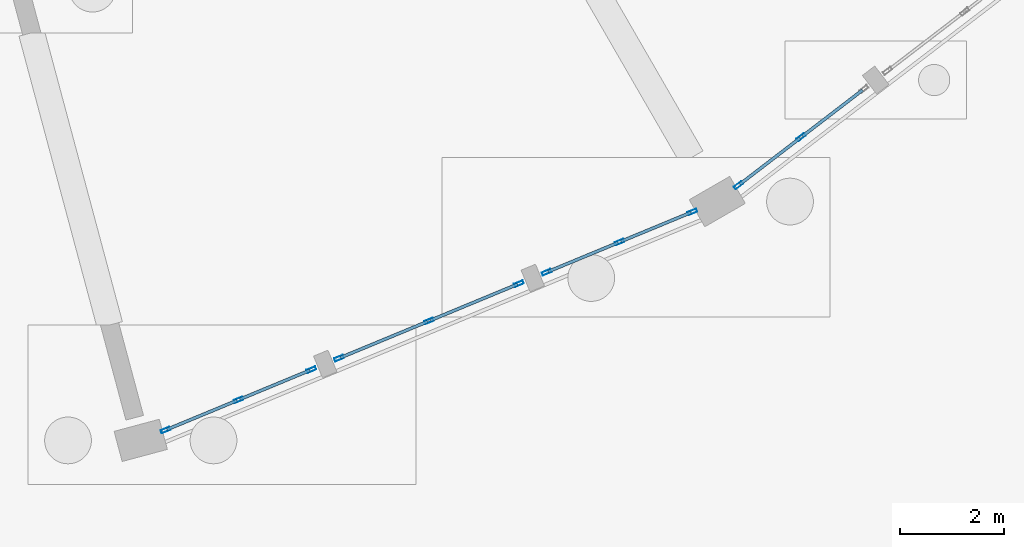
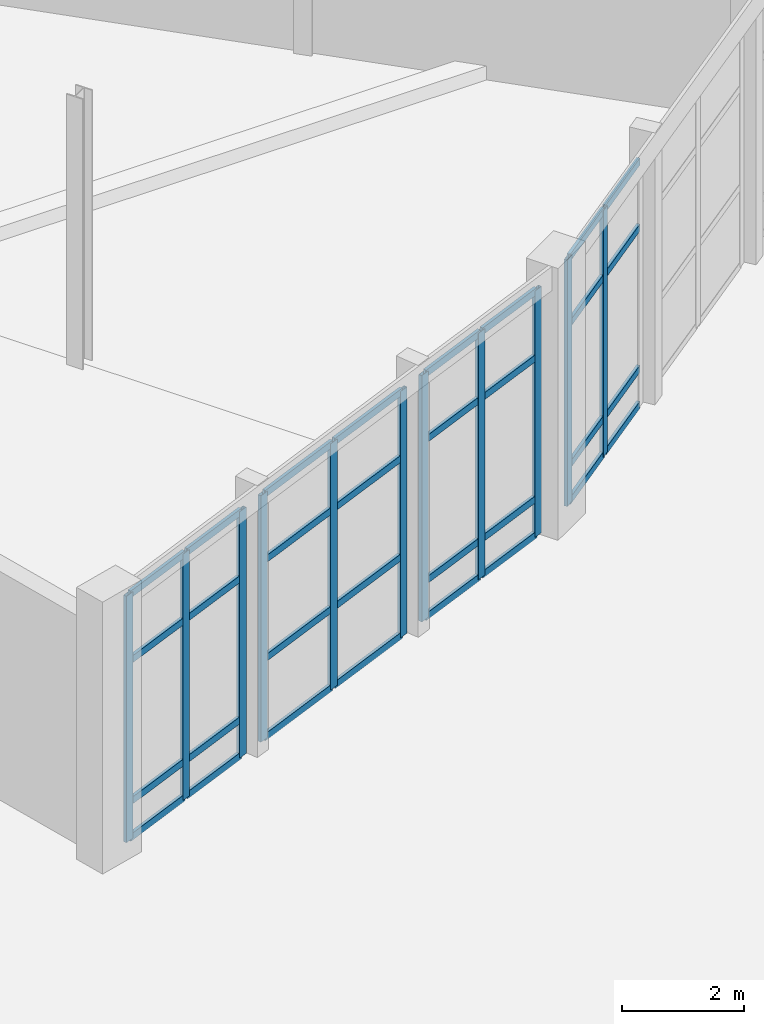
# One storey, part 41 of 137: 43 members, 4 elements without a shape of their own.
"""IFC4 building model written with IfcOpenShell, lengths in metres."""

from ifc_helpers import new_model, si_unit, direction, frame, origin, origin_2d, place, context, subcontext, project, spatial, hollow_rectangle, extrude, material, material_profile, profile_set, type_object, element, aggregate, save


model = new_model("IFC4")

# Units and contexts
model_context = context("Model", 3, precision=1e-05, world=origin(), true_north=direction((0.0, 1.0)))
body_context = subcontext(model_context, "Body", "Model", "MODEL_VIEW")
ifc_project = project(units=[si_unit("LENGTHUNIT", "METRE"), si_unit("AREAUNIT", "SQUARE_METRE"), si_unit("VOLUMEUNIT", "CUBIC_METRE"), si_unit("PLANEANGLEUNIT", "RADIAN"), si_unit("MASSUNIT", "GRAM", prefix="KILO")], contexts=[model_context])

# Site, building, storey
site_placement = place(None, origin())
site = spatial("IfcSite", under=ifc_project, at=site_placement, CompositionType="ELEMENT")
building_placement = place(site_placement, origin())
building = spatial("IfcBuilding", under=site, at=building_placement, Name="Vondelvale Polytechnic", CompositionType="ELEMENT")
storey_placement = place(building_placement, origin())
storey = spatial("IfcBuildingStorey", under=building, at=storey_placement, Name="L00", CompositionType="ELEMENT", Elevation=0.0)

# Curtain wall, members
ifc_material_1 = material(Name="Glulam GL18 structural Tasmanian oak (fb = 42 MPa)", Category="wood")
curtain_wall_type = type_object("IfcCurtainWallType", Name="CW-RING-OUTER", PredefinedType="NOTDEFINED", material=ifc_material_1)
curtain_wall_1_placement = place(storey_placement, origin())
curtain_wall_1 = element("IfcCurtainWall", 1, at=curtain_wall_1_placement, inside=storey, type_object=curtain_wall_type, Name="L00 architectural curtain wall CW-04-334", PredefinedType="NOTDEFINED")
ifc_material_2 = material(Name="Anodised extruded aluminium 6063-T6", Category="aluminium")
ifc_material_profile_1 = material_profile(ifc_material_2, hollow_rectangle(XDim=0.06494140625, YDim=0.179931640625, WallThickness=0.00390625, at=origin_2d()), Name="CW-MUL-180x65")
ifc_profile_set_1 = profile_set([ifc_material_profile_1], Name="Anodised extruded aluminium 6063-T6")
member_type_1 = type_object("IfcMemberType", Name="CW-MUL-65x180", PredefinedType="MULLION", material=ifc_profile_set_1)
member_1_placement = place(storey_placement, frame((114.3828125, 27.76513671875, 0.0), z_axis=(0.0, 0.0, 1.0), x_axis=(-0.382679040691, 0.92388135159, 0.0)))
member_1 = element("IfcMember", 2, at=member_1_placement, type_object=member_type_1, Name="CW-04-334 mullion 1", PredefinedType="MULLION", context=body_context, shape_type="SweptSolid", body=[
    extrude(hollow_rectangle(XDim=0.06494140625, YDim=0.179931640625, WallThickness=0.00390625, at=origin_2d()), origin(), (0.0, 0.0, 1.0), 4.919921875),
])
member_2_placement = place(storey_placement, frame((115.78662109375, 28.346435546875, 0.0), z_axis=(0.0, 0.0, 1.0), x_axis=(-0.382679040691, 0.92388135159, 0.0)))
member_2 = element("IfcMember", 3, at=member_2_placement, type_object=member_type_1, Name="CW-04-334 mullion 2", PredefinedType="MULLION", context=body_context, shape_type="SweptSolid", body=[
    extrude(hollow_rectangle(XDim=0.06494140625, YDim=0.179931640625, WallThickness=0.00390625, at=origin_2d()), origin(), (0.0, 0.0, 1.0), 4.919921875),
])
member_3_placement = place(storey_placement, frame((117.190185546875, 28.927978515625, 0.0), z_axis=(0.0, 0.0, 1.0), x_axis=(-0.382679040691, 0.92388135159, 0.0)))
member_3 = element("IfcMember", 4, at=member_3_placement, type_object=member_type_1, Name="CW-04-334 mullion 3", PredefinedType="MULLION", context=body_context, shape_type="SweptSolid", body=[
    extrude(hollow_rectangle(XDim=0.06494140625, YDim=0.179931640625, WallThickness=0.00390625, at=origin_2d()), origin(), (0.0, 0.0, 1.0), 4.919921875),
])

curtain_wall_2_placement = place(storey_placement, origin())
curtain_wall_2 = element("IfcCurtainWall", 5, at=curtain_wall_2_placement, inside=storey, type_object=curtain_wall_type, Name="L00 architectural curtain wall CW-04-335", PredefinedType="NOTDEFINED")
member_4_placement = place(storey_placement, frame((117.721435546875, 29.14794921875, 0.0), z_axis=(0.0, 0.0, 1.0), x_axis=(-0.382694599123, 0.92387490701, 0.0)))
member_4 = element("IfcMember", 6, at=member_4_placement, type_object=member_type_1, Name="CW-04-335 mullion 1", PredefinedType="MULLION", context=body_context, shape_type="SweptSolid", body=[
    extrude(hollow_rectangle(XDim=0.06494140625, YDim=0.179931640625, WallThickness=0.00390625, at=origin_2d()), origin(), (0.0, 0.0, 1.0), 4.919921875),
])
member_5_placement = place(storey_placement, frame((119.452880859375, 29.864990234375, 0.0), z_axis=(0.0, 0.0, 1.0), x_axis=(-0.382694599123, 0.92387490701, 0.0)))
member_5 = element("IfcMember", 7, at=member_5_placement, type_object=member_type_1, Name="CW-04-335 mullion 2", PredefinedType="MULLION", context=body_context, shape_type="SweptSolid", body=[
    extrude(hollow_rectangle(XDim=0.06494140625, YDim=0.179931640625, WallThickness=0.00390625, at=origin_2d()), origin(), (0.0, 0.0, 1.0), 4.919921875),
])
member_6_placement = place(storey_placement, frame((121.18408203125, 30.582275390625, 0.0), z_axis=(0.0, 0.0, 1.0), x_axis=(-0.382694599123, 0.92387490701, 0.0)))
member_6 = element("IfcMember", 8, at=member_6_placement, type_object=member_type_1, Name="CW-04-335 mullion 3", PredefinedType="MULLION", context=body_context, shape_type="SweptSolid", body=[
    extrude(hollow_rectangle(XDim=0.06494140625, YDim=0.179931640625, WallThickness=0.00390625, at=origin_2d()), origin(), (0.0, 0.0, 1.0), 4.919921875),
])

curtain_wall_3_placement = place(storey_placement, origin())
curtain_wall_3 = element("IfcCurtainWall", 9, at=curtain_wall_3_placement, inside=storey, type_object=curtain_wall_type, Name="L00 architectural curtain wall CW-04-336", PredefinedType="NOTDEFINED")
member_7_placement = place(storey_placement, frame((121.71533203125, 30.80224609375, 0.0), z_axis=(0.0, 0.0, 1.0), x_axis=(-0.382679040691, 0.92388135159, 0.0)))
member_7 = element("IfcMember", 10, at=member_7_placement, type_object=member_type_1, Name="CW-04-336 mullion 1", PredefinedType="MULLION", context=body_context, shape_type="SweptSolid", body=[
    extrude(hollow_rectangle(XDim=0.06494140625, YDim=0.179931640625, WallThickness=0.00390625, at=origin_2d()), origin(), (0.0, 0.0, 1.0), 4.919921875),
])
member_8_placement = place(storey_placement, frame((123.119140625, 31.3837890625, 0.0), z_axis=(0.0, 0.0, 1.0), x_axis=(-0.382679040691, 0.92388135159, 0.0)))
member_8 = element("IfcMember", 11, at=member_8_placement, type_object=member_type_1, Name="CW-04-336 mullion 2", PredefinedType="MULLION", context=body_context, shape_type="SweptSolid", body=[
    extrude(hollow_rectangle(XDim=0.06494140625, YDim=0.179931640625, WallThickness=0.00390625, at=origin_2d()), origin(), (0.0, 0.0, 1.0), 4.919921875),
])
member_9_placement = place(storey_placement, frame((124.522705078125, 31.965087890625, 0.0), z_axis=(0.0, 0.0, 1.0), x_axis=(-0.382679040691, 0.92388135159, 0.0)))
member_9 = element("IfcMember", 12, at=member_9_placement, type_object=member_type_1, Name="CW-04-336 mullion 3", PredefinedType="MULLION", context=body_context, shape_type="SweptSolid", body=[
    extrude(hollow_rectangle(XDim=0.06494140625, YDim=0.179931640625, WallThickness=0.00390625, at=origin_2d()), origin(), (0.0, 0.0, 1.0), 4.919921875),
])

curtain_wall_4_placement = place(storey_placement, origin())
curtain_wall_4 = element("IfcCurtainWall", 13, at=curtain_wall_4_placement, inside=storey, type_object=curtain_wall_type, Name="L00 architectural curtain wall CW-04-341", PredefinedType="NOTDEFINED")
member_10_placement = place(storey_placement, frame((125.40966796875, 32.477294921875, 0.0), z_axis=(0.0, 0.0, 1.0), x_axis=(-0.608763610584, 0.793351666305, 0.0)))
member_10 = element("IfcMember", 14, at=member_10_placement, type_object=member_type_1, Name="CW-04-341 mullion 1", PredefinedType="MULLION", context=body_context, shape_type="SweptSolid", body=[
    extrude(hollow_rectangle(XDim=0.06494140625, YDim=0.179931640625, WallThickness=0.00390625, at=origin_2d()), origin(), (0.0, 0.0, 1.0), 4.919921875),
])
member_11_placement = place(storey_placement, frame((126.615234375, 33.402099609375, 0.0), z_axis=(0.0, 0.0, 1.0), x_axis=(-0.608763610584, 0.793351666305, 0.0)))
member_11 = element("IfcMember", 15, at=member_11_placement, type_object=member_type_1, Name="CW-04-341 mullion 2", PredefinedType="MULLION", context=body_context, shape_type="SweptSolid", body=[
    extrude(hollow_rectangle(XDim=0.06494140625, YDim=0.179931640625, WallThickness=0.00390625, at=origin_2d()), origin(), (0.0, 0.0, 1.0), 4.919921875),
])

# Member
ifc_material_profile_2 = material_profile(ifc_material_2, hollow_rectangle(XDim=0.06005859375, YDim=0.139892578125, WallThickness=0.00341796875, at=origin_2d()), Name="CW-TRN-140x60")
ifc_profile_set_2 = profile_set([ifc_material_profile_2], Name="Anodised extruded aluminium 6063-T6")
member_type_2 = type_object("IfcMemberType", Name="CW-TRN-60x140", PredefinedType="USERDEFINED", material=ifc_profile_set_2)
member_12_placement = place(storey_placement, frame((114.412841796875, 27.777587890625, 0.030029296875), z_axis=(0.923928870591, 0.382564297979, 0.0), x_axis=(-0.382564297979, 0.923928870591, 0.0)))
member_12 = element("IfcMember", 16, at=member_12_placement, type_object=member_type_2, Name="CW-04-334 transom 1.1", ObjectType="TRANSOM", PredefinedType="USERDEFINED", context=body_context, shape_type="SweptSolid", body=[
    extrude(hollow_rectangle(XDim=0.06005859375, YDim=0.139892578125, WallThickness=0.00341796875, at=origin_2d()), origin(), (0.0, 0.0, 1.0), 1.454345703125),
])

member_13_placement = place(storey_placement, frame((114.412841796875, 27.777587890625, 0.75), z_axis=(0.923928870591, 0.382564297979, 0.0), x_axis=(-0.382564297979, 0.923928870591, 0.0)))
member_13 = element("IfcMember", 17, at=member_13_placement, type_object=member_type_2, Name="CW-04-334 transom 1.2", ObjectType="TRANSOM", PredefinedType="USERDEFINED", context=body_context, shape_type="SweptSolid", body=[
    extrude(hollow_rectangle(XDim=0.06005859375, YDim=0.139892578125, WallThickness=0.00341796875, at=origin_2d()), origin(), (0.0, 0.0, 1.0), 1.454345703125),
])

member_14_placement = place(storey_placement, frame((114.412841796875, 27.777587890625, 3.570068359375), z_axis=(0.923928870591, 0.382564297979, 0.0), x_axis=(-0.382564297979, 0.923928870591, 0.0)))
member_14 = element("IfcMember", 18, at=member_14_placement, type_object=member_type_2, Name="CW-04-334 transom 1.3", ObjectType="TRANSOM", PredefinedType="USERDEFINED", context=body_context, shape_type="SweptSolid", body=[
    extrude(hollow_rectangle(XDim=0.06005859375, YDim=0.139892578125, WallThickness=0.00341796875, at=origin_2d()), origin(), (0.0, 0.0, 1.0), 1.454345703125),
])

member_15_placement = place(storey_placement, frame((114.412841796875, 27.777587890625, 4.889892578125), z_axis=(0.923928870591, 0.382564297979, 0.0), x_axis=(-0.382564297979, 0.923928870591, 0.0)))
member_15 = element("IfcMember", 19, at=member_15_placement, type_object=member_type_2, Name="CW-04-334 transom 1.4", ObjectType="TRANSOM", PredefinedType="USERDEFINED", context=body_context, shape_type="SweptSolid", body=[
    extrude(hollow_rectangle(XDim=0.06005859375, YDim=0.139892578125, WallThickness=0.00341796875, at=origin_2d()), origin(), (0.0, 0.0, 1.0), 1.454345703125),
])

member_16_placement = place(storey_placement, frame((115.816650390625, 28.35888671875, 0.030029296875), z_axis=(0.923844938863, 0.382766938144, 0.0), x_axis=(-0.382766938144, 0.923844938863, 0.0)))
member_16 = element("IfcMember", 20, at=member_16_placement, type_object=member_type_2, Name="CW-04-334 transom 2.1", ObjectType="TRANSOM", PredefinedType="USERDEFINED", context=body_context, shape_type="SweptSolid", body=[
    extrude(hollow_rectangle(XDim=0.06005859375, YDim=0.139892578125, WallThickness=0.00341796875, at=origin_2d()), origin(), (0.0, 0.0, 1.0), 1.454345703125),
])

member_17_placement = place(storey_placement, frame((115.816650390625, 28.35888671875, 0.75), z_axis=(0.923844938863, 0.382766938144, 0.0), x_axis=(-0.382766938144, 0.923844938863, 0.0)))
member_17 = element("IfcMember", 21, at=member_17_placement, type_object=member_type_2, Name="CW-04-334 transom 2.2", ObjectType="TRANSOM", PredefinedType="USERDEFINED", context=body_context, shape_type="SweptSolid", body=[
    extrude(hollow_rectangle(XDim=0.06005859375, YDim=0.139892578125, WallThickness=0.00341796875, at=origin_2d()), origin(), (0.0, 0.0, 1.0), 1.454345703125),
])

member_18_placement = place(storey_placement, frame((115.816650390625, 28.35888671875, 3.570068359375), z_axis=(0.923844938863, 0.382766938144, 0.0), x_axis=(-0.382766938144, 0.923844938863, 0.0)))
member_18 = element("IfcMember", 22, at=member_18_placement, type_object=member_type_2, Name="CW-04-334 transom 2.3", ObjectType="TRANSOM", PredefinedType="USERDEFINED", context=body_context, shape_type="SweptSolid", body=[
    extrude(hollow_rectangle(XDim=0.06005859375, YDim=0.139892578125, WallThickness=0.00341796875, at=origin_2d()), origin(), (0.0, 0.0, 1.0), 1.454345703125),
])

member_19_placement = place(storey_placement, frame((115.816650390625, 28.35888671875, 4.889892578125), z_axis=(0.923844938863, 0.382766938144, 0.0), x_axis=(-0.382766938144, 0.923844938863, 0.0)))
member_19 = element("IfcMember", 23, at=member_19_placement, type_object=member_type_2, Name="CW-04-334 transom 2.4", ObjectType="TRANSOM", PredefinedType="USERDEFINED", context=body_context, shape_type="SweptSolid", body=[
    extrude(hollow_rectangle(XDim=0.06005859375, YDim=0.139892578125, WallThickness=0.00341796875, at=origin_2d()), origin(), (0.0, 0.0, 1.0), 1.454345703125),
])

aggregate(curtain_wall_1, [member_1, member_2, member_3, member_12, member_13, member_14, member_15, member_16, member_17, member_18, member_19])

member_20_placement = place(storey_placement, frame((117.75146484375, 29.160400390625, 0.030029296875), z_axis=(0.923865506878, 0.382717291485, 0.0), x_axis=(-0.382717291485, 0.923865506878, 0.0)))
member_20 = element("IfcMember", 24, at=member_20_placement, type_object=member_type_2, Name="CW-04-335 transom 1.1", ObjectType="TRANSOM", PredefinedType="USERDEFINED", context=body_context, shape_type="SweptSolid", body=[
    extrude(hollow_rectangle(XDim=0.06005859375, YDim=0.139892578125, WallThickness=0.00341796875, at=origin_2d()), origin(), (0.0, 0.0, 1.0), 1.80908203125),
])

member_21_placement = place(storey_placement, frame((117.75146484375, 29.160400390625, 1.60009765625), z_axis=(0.923865506878, 0.382717291485, 0.0), x_axis=(-0.382717291485, 0.923865506878, 0.0)))
member_21 = element("IfcMember", 25, at=member_21_placement, type_object=member_type_2, Name="CW-04-335 transom 1.2", ObjectType="TRANSOM", PredefinedType="USERDEFINED", context=body_context, shape_type="SweptSolid", body=[
    extrude(hollow_rectangle(XDim=0.06005859375, YDim=0.139892578125, WallThickness=0.00341796875, at=origin_2d()), origin(), (0.0, 0.0, 1.0), 1.80908203125),
])

member_22_placement = place(storey_placement, frame((117.75146484375, 29.160400390625, 3.570068359375), z_axis=(0.923865506878, 0.382717291485, 0.0), x_axis=(-0.382717291485, 0.923865506878, 0.0)))
member_22 = element("IfcMember", 26, at=member_22_placement, type_object=member_type_2, Name="CW-04-335 transom 1.3", ObjectType="TRANSOM", PredefinedType="USERDEFINED", context=body_context, shape_type="SweptSolid", body=[
    extrude(hollow_rectangle(XDim=0.06005859375, YDim=0.139892578125, WallThickness=0.00341796875, at=origin_2d()), origin(), (0.0, 0.0, 1.0), 1.80908203125),
])

member_23_placement = place(storey_placement, frame((117.75146484375, 29.160400390625, 4.889892578125), z_axis=(0.923865506878, 0.382717291485, 0.0), x_axis=(-0.382717291485, 0.923865506878, 0.0)))
member_23 = element("IfcMember", 27, at=member_23_placement, type_object=member_type_2, Name="CW-04-335 transom 1.4", ObjectType="TRANSOM", PredefinedType="USERDEFINED", context=body_context, shape_type="SweptSolid", body=[
    extrude(hollow_rectangle(XDim=0.06005859375, YDim=0.139892578125, WallThickness=0.00341796875, at=origin_2d()), origin(), (0.0, 0.0, 1.0), 1.80908203125),
])

member_24_placement = place(storey_placement, frame((119.48291015625, 29.87744140625, 0.030029296875), z_axis=(0.92384573676, 0.382765012338, 0.0), x_axis=(-0.382765012338, 0.92384573676, 0.0)))
member_24 = element("IfcMember", 28, at=member_24_placement, type_object=member_type_2, Name="CW-04-335 transom 2.1", ObjectType="TRANSOM", PredefinedType="USERDEFINED", context=body_context, shape_type="SweptSolid", body=[
    extrude(hollow_rectangle(XDim=0.06005859375, YDim=0.139892578125, WallThickness=0.00341796875, at=origin_2d()), origin(), (0.0, 0.0, 1.0), 1.808837890625),
])

member_25_placement = place(storey_placement, frame((119.48291015625, 29.87744140625, 1.60009765625), z_axis=(0.92384573676, 0.382765012338, 0.0), x_axis=(-0.382765012338, 0.92384573676, 0.0)))
member_25 = element("IfcMember", 29, at=member_25_placement, type_object=member_type_2, Name="CW-04-335 transom 2.2", ObjectType="TRANSOM", PredefinedType="USERDEFINED", context=body_context, shape_type="SweptSolid", body=[
    extrude(hollow_rectangle(XDim=0.06005859375, YDim=0.139892578125, WallThickness=0.00341796875, at=origin_2d()), origin(), (0.0, 0.0, 1.0), 1.808837890625),
])

member_26_placement = place(storey_placement, frame((119.48291015625, 29.87744140625, 3.570068359375), z_axis=(0.92384573676, 0.382765012338, 0.0), x_axis=(-0.382765012338, 0.92384573676, 0.0)))
member_26 = element("IfcMember", 30, at=member_26_placement, type_object=member_type_2, Name="CW-04-335 transom 2.3", ObjectType="TRANSOM", PredefinedType="USERDEFINED", context=body_context, shape_type="SweptSolid", body=[
    extrude(hollow_rectangle(XDim=0.06005859375, YDim=0.139892578125, WallThickness=0.00341796875, at=origin_2d()), origin(), (0.0, 0.0, 1.0), 1.808837890625),
])

member_27_placement = place(storey_placement, frame((119.48291015625, 29.87744140625, 4.889892578125), z_axis=(0.92384573676, 0.382765012338, 0.0), x_axis=(-0.382765012338, 0.92384573676, 0.0)))
member_27 = element("IfcMember", 31, at=member_27_placement, type_object=member_type_2, Name="CW-04-335 transom 2.4", ObjectType="TRANSOM", PredefinedType="USERDEFINED", context=body_context, shape_type="SweptSolid", body=[
    extrude(hollow_rectangle(XDim=0.06005859375, YDim=0.139892578125, WallThickness=0.00341796875, at=origin_2d()), origin(), (0.0, 0.0, 1.0), 1.808837890625),
])

aggregate(curtain_wall_2, [member_4, member_5, member_6, member_20, member_21, member_22, member_23, member_24, member_25, member_26, member_27])

member_28_placement = place(storey_placement, frame((121.745361328125, 30.814697265625, 0.030029296875), z_axis=(0.923869529365, 0.382707581205, 0.0), x_axis=(-0.382707581205, 0.923869529365, 0.0)))
member_28 = element("IfcMember", 32, at=member_28_placement, type_object=member_type_2, Name="CW-04-336 transom 1.1", ObjectType="TRANSOM", PredefinedType="USERDEFINED", context=body_context, shape_type="SweptSolid", body=[
    extrude(hollow_rectangle(XDim=0.06005859375, YDim=0.139892578125, WallThickness=0.00341796875, at=origin_2d()), origin(), (0.0, 0.0, 1.0), 1.45458984375),
])

member_29_placement = place(storey_placement, frame((121.745361328125, 30.814697265625, 0.75), z_axis=(0.923869529365, 0.382707581205, 0.0), x_axis=(-0.382707581205, 0.923869529365, 0.0)))
member_29 = element("IfcMember", 33, at=member_29_placement, type_object=member_type_2, Name="CW-04-336 transom 1.2", ObjectType="TRANSOM", PredefinedType="USERDEFINED", context=body_context, shape_type="SweptSolid", body=[
    extrude(hollow_rectangle(XDim=0.06005859375, YDim=0.139892578125, WallThickness=0.00341796875, at=origin_2d()), origin(), (0.0, 0.0, 1.0), 1.45458984375),
])

member_30_placement = place(storey_placement, frame((121.745361328125, 30.814697265625, 3.570068359375), z_axis=(0.923869529365, 0.382707581205, 0.0), x_axis=(-0.382707581205, 0.923869529365, 0.0)))
member_30 = element("IfcMember", 34, at=member_30_placement, type_object=member_type_2, Name="CW-04-336 transom 1.3", ObjectType="TRANSOM", PredefinedType="USERDEFINED", context=body_context, shape_type="SweptSolid", body=[
    extrude(hollow_rectangle(XDim=0.06005859375, YDim=0.139892578125, WallThickness=0.00341796875, at=origin_2d()), origin(), (0.0, 0.0, 1.0), 1.45458984375),
])

member_31_placement = place(storey_placement, frame((121.745361328125, 30.814697265625, 4.889892578125), z_axis=(0.923869529365, 0.382707581205, 0.0), x_axis=(-0.382707581205, 0.923869529365, 0.0)))
member_31 = element("IfcMember", 35, at=member_31_placement, type_object=member_type_2, Name="CW-04-336 transom 1.4", ObjectType="TRANSOM", PredefinedType="USERDEFINED", context=body_context, shape_type="SweptSolid", body=[
    extrude(hollow_rectangle(XDim=0.06005859375, YDim=0.139892578125, WallThickness=0.00341796875, at=origin_2d()), origin(), (0.0, 0.0, 1.0), 1.45458984375),
])

member_32_placement = place(storey_placement, frame((123.149169921875, 31.396240234375, 0.030029296875), z_axis=(0.92390429692, 0.38262364032, 0.0), x_axis=(-0.38262364032, 0.92390429692, 0.0)))
member_32 = element("IfcMember", 36, at=member_32_placement, type_object=member_type_2, Name="CW-04-336 transom 2.1", ObjectType="TRANSOM", PredefinedType="USERDEFINED", context=body_context, shape_type="SweptSolid", body=[
    extrude(hollow_rectangle(XDim=0.06005859375, YDim=0.139892578125, WallThickness=0.00341796875, at=origin_2d()), origin(), (0.0, 0.0, 1.0), 1.4541015625),
])

member_33_placement = place(storey_placement, frame((123.149169921875, 31.396240234375, 0.75), z_axis=(0.92390429692, 0.38262364032, 0.0), x_axis=(-0.38262364032, 0.92390429692, 0.0)))
member_33 = element("IfcMember", 37, at=member_33_placement, type_object=member_type_2, Name="CW-04-336 transom 2.2", ObjectType="TRANSOM", PredefinedType="USERDEFINED", context=body_context, shape_type="SweptSolid", body=[
    extrude(hollow_rectangle(XDim=0.06005859375, YDim=0.139892578125, WallThickness=0.00341796875, at=origin_2d()), origin(), (0.0, 0.0, 1.0), 1.4541015625),
])

member_34_placement = place(storey_placement, frame((123.149169921875, 31.396240234375, 3.570068359375), z_axis=(0.92390429692, 0.38262364032, 0.0), x_axis=(-0.38262364032, 0.92390429692, 0.0)))
member_34 = element("IfcMember", 38, at=member_34_placement, type_object=member_type_2, Name="CW-04-336 transom 2.3", ObjectType="TRANSOM", PredefinedType="USERDEFINED", context=body_context, shape_type="SweptSolid", body=[
    extrude(hollow_rectangle(XDim=0.06005859375, YDim=0.139892578125, WallThickness=0.00341796875, at=origin_2d()), origin(), (0.0, 0.0, 1.0), 1.4541015625),
])

member_35_placement = place(storey_placement, frame((123.149169921875, 31.396240234375, 4.889892578125), z_axis=(0.92390429692, 0.38262364032, 0.0), x_axis=(-0.38262364032, 0.92390429692, 0.0)))
member_35 = element("IfcMember", 39, at=member_35_placement, type_object=member_type_2, Name="CW-04-336 transom 2.4", ObjectType="TRANSOM", PredefinedType="USERDEFINED", context=body_context, shape_type="SweptSolid", body=[
    extrude(hollow_rectangle(XDim=0.06005859375, YDim=0.139892578125, WallThickness=0.00341796875, at=origin_2d()), origin(), (0.0, 0.0, 1.0), 1.4541015625),
])

aggregate(curtain_wall_3, [member_7, member_8, member_9, member_28, member_29, member_30, member_31, member_32, member_33, member_34, member_35])

member_36_placement = place(storey_placement, frame((125.435546875, 32.4970703125, 0.030029296875), z_axis=(0.793384744473, 0.608720500097, 0.0), x_axis=(-0.608720500097, 0.793384744473, 0.0)))
member_36 = element("IfcMember", 40, at=member_36_placement, type_object=member_type_2, Name="CW-04-341 transom 1.1", ObjectType="TRANSOM", PredefinedType="USERDEFINED", context=body_context, shape_type="SweptSolid", body=[
    extrude(hollow_rectangle(XDim=0.06005859375, YDim=0.139892578125, WallThickness=0.00341796875, at=origin_2d()), origin(), (0.0, 0.0, 1.0), 1.454345703125),
])

member_37_placement = place(storey_placement, frame((125.435546875, 32.4970703125, 0.75), z_axis=(0.793384744473, 0.608720500097, 0.0), x_axis=(-0.608720500097, 0.793384744473, 0.0)))
member_37 = element("IfcMember", 41, at=member_37_placement, type_object=member_type_2, Name="CW-04-341 transom 1.2", ObjectType="TRANSOM", PredefinedType="USERDEFINED", context=body_context, shape_type="SweptSolid", body=[
    extrude(hollow_rectangle(XDim=0.06005859375, YDim=0.139892578125, WallThickness=0.00341796875, at=origin_2d()), origin(), (0.0, 0.0, 1.0), 1.454345703125),
])

member_38_placement = place(storey_placement, frame((125.435546875, 32.4970703125, 3.570068359375), z_axis=(0.793384744473, 0.608720500097, 0.0), x_axis=(-0.608720500097, 0.793384744473, 0.0)))
member_38 = element("IfcMember", 42, at=member_38_placement, type_object=member_type_2, Name="CW-04-341 transom 1.3", ObjectType="TRANSOM", PredefinedType="USERDEFINED", context=body_context, shape_type="SweptSolid", body=[
    extrude(hollow_rectangle(XDim=0.06005859375, YDim=0.139892578125, WallThickness=0.00341796875, at=origin_2d()), origin(), (0.0, 0.0, 1.0), 1.454345703125),
])

member_39_placement = place(storey_placement, frame((125.435546875, 32.4970703125, 4.889892578125), z_axis=(0.793384744473, 0.608720500097, 0.0), x_axis=(-0.608720500097, 0.793384744473, 0.0)))
member_39 = element("IfcMember", 43, at=member_39_placement, type_object=member_type_2, Name="CW-04-341 transom 1.4", ObjectType="TRANSOM", PredefinedType="USERDEFINED", context=body_context, shape_type="SweptSolid", body=[
    extrude(hollow_rectangle(XDim=0.06005859375, YDim=0.139892578125, WallThickness=0.00341796875, at=origin_2d()), origin(), (0.0, 0.0, 1.0), 1.454345703125),
])

member_40_placement = place(storey_placement, frame((126.640869140625, 33.421875, 0.030029296875), z_axis=(0.793303669799, 0.608826155387, 0.0), x_axis=(-0.608826155387, 0.793303669799, 0.0)))
member_40 = element("IfcMember", 44, at=member_40_placement, type_object=member_type_2, Name="CW-04-341 transom 2.1", ObjectType="TRANSOM", PredefinedType="USERDEFINED", context=body_context, shape_type="SweptSolid", body=[
    extrude(hollow_rectangle(XDim=0.06005859375, YDim=0.139892578125, WallThickness=0.00341796875, at=origin_2d()), origin(), (0.0, 0.0, 1.0), 1.454345703125),
])

member_41_placement = place(storey_placement, frame((126.640869140625, 33.421875, 0.75), z_axis=(0.793303669799, 0.608826155387, 0.0), x_axis=(-0.608826155387, 0.793303669799, 0.0)))
member_41 = element("IfcMember", 45, at=member_41_placement, type_object=member_type_2, Name="CW-04-341 transom 2.2", ObjectType="TRANSOM", PredefinedType="USERDEFINED", context=body_context, shape_type="SweptSolid", body=[
    extrude(hollow_rectangle(XDim=0.06005859375, YDim=0.139892578125, WallThickness=0.00341796875, at=origin_2d()), origin(), (0.0, 0.0, 1.0), 1.454345703125),
])

member_42_placement = place(storey_placement, frame((126.640869140625, 33.421875, 3.570068359375), z_axis=(0.793303669799, 0.608826155387, 0.0), x_axis=(-0.608826155387, 0.793303669799, 0.0)))
member_42 = element("IfcMember", 46, at=member_42_placement, type_object=member_type_2, Name="CW-04-341 transom 2.3", ObjectType="TRANSOM", PredefinedType="USERDEFINED", context=body_context, shape_type="SweptSolid", body=[
    extrude(hollow_rectangle(XDim=0.06005859375, YDim=0.139892578125, WallThickness=0.00341796875, at=origin_2d()), origin(), (0.0, 0.0, 1.0), 1.454345703125),
])

member_43_placement = place(storey_placement, frame((126.640869140625, 33.421875, 4.889892578125), z_axis=(0.793303669799, 0.608826155387, 0.0), x_axis=(-0.608826155387, 0.793303669799, 0.0)))
member_43 = element("IfcMember", 47, at=member_43_placement, type_object=member_type_2, Name="CW-04-341 transom 2.4", ObjectType="TRANSOM", PredefinedType="USERDEFINED", context=body_context, shape_type="SweptSolid", body=[
    extrude(hollow_rectangle(XDim=0.06005859375, YDim=0.139892578125, WallThickness=0.00341796875, at=origin_2d()), origin(), (0.0, 0.0, 1.0), 1.454345703125),
])

aggregate(curtain_wall_4, [member_10, member_11, member_36, member_37, member_38, member_39, member_40, member_41, member_42, member_43])

save(model, "model.ifc")
